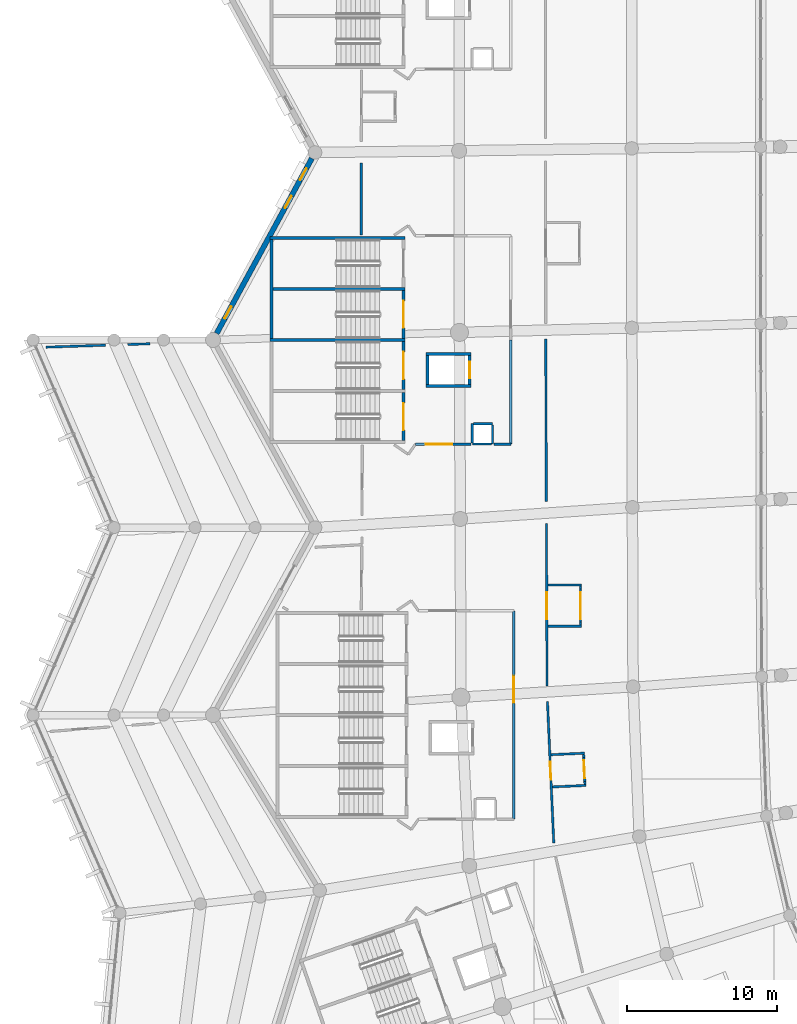
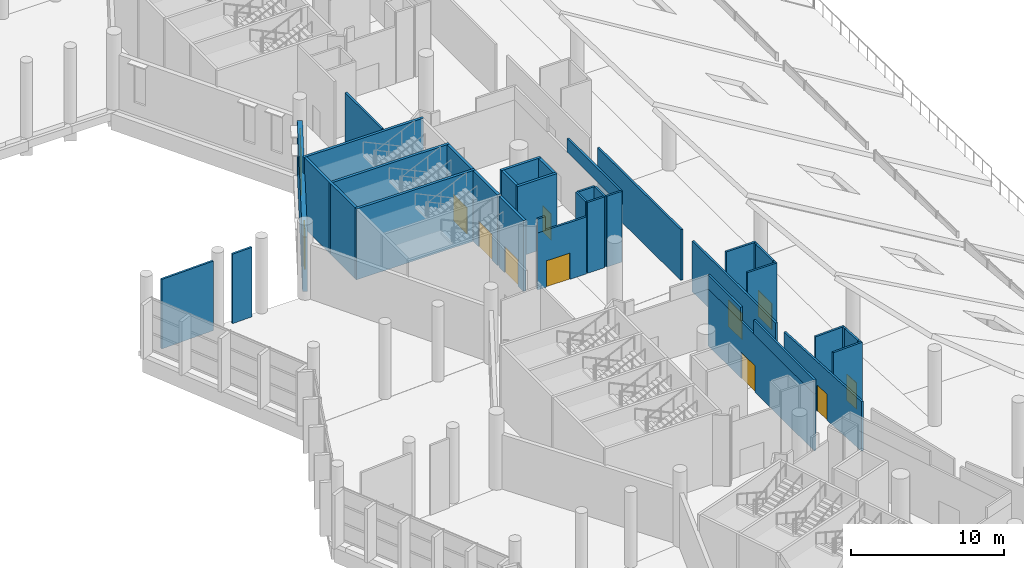
# One storey, part 145 of 249: 39 walls, 10 doors, 3 windows, 13 openings.
"""IFC4 building model written with IfcOpenShell, lengths in metres."""

from ifc_helpers import new_model, si_unit, direction, frame, frame_2d, origin, place, context, subcontext, project, spatial, rectangle, extrude, material, layer, layer_set, type_object, element, fill, save


model = new_model("IFC4")

# Units and contexts
model_context = context("Model", 3, precision=1e-05, world=origin(), true_north=direction((0.0, 1.0)))
body_context = subcontext(model_context, "Body", "Model", "MODEL_VIEW")
ifc_project = project(units=[si_unit("LENGTHUNIT", "METRE"), si_unit("AREAUNIT", "SQUARE_METRE"), si_unit("VOLUMEUNIT", "CUBIC_METRE"), si_unit("PLANEANGLEUNIT", "RADIAN"), si_unit("MASSUNIT", "GRAM", prefix="KILO")], contexts=[model_context])

# Site, building, storey
site_placement = place(None, origin())
site = spatial("IfcSite", under=ifc_project, at=site_placement, CompositionType="ELEMENT")
building_placement = place(site_placement, origin())
building = spatial("IfcBuilding", under=site, at=building_placement, Name="Meseta Stadium", CompositionType="ELEMENT")
storey_placement = place(building_placement, frame((0.0, 0.0, 12.0)))
storey = spatial("IfcBuildingStorey", under=building, at=storey_placement, Name="L02", CompositionType="ELEMENT", Elevation=12.0)

# Walls
ifc_material_1 = material(Name="Concrete C40/50", Category="concrete")
ifc_layer_1 = layer(ifc_material_1, 0.199951171875)
ifc_layer_set_1 = layer_set([ifc_layer_1], Name="Core divider wall 200")
wall_type_1 = type_object("IfcWallType", Name="Core divider wall 200", PredefinedType="SHEAR", material=ifc_layer_set_1)
wall_1_placement = place(storey_placement, frame((-97.60009765625, -15.35009765625, 0.0), z_axis=(0.0, 0.0, 1.0), x_axis=(1.0, 0.0, 0.0)))
element("IfcWall", 1, at=wall_1_placement, inside=storey, type_object=wall_type_1, Name="Core 18 L02 stair A divider wall", PredefinedType="SHEAR", context=body_context, shape_type="SweptSolid", body=[
    extrude(rectangle(XDim=9.0, YDim=0.199951171875, at=frame_2d((4.5, 0.0))), origin(), (0.0, 0.0, 1.0), 5.64990234375),
])
ifc_material_2 = material(Name="Concrete C40/50", Category="concrete")
ifc_layer_2 = layer(ifc_material_2, 0.199951171875)
ifc_layer_set_2 = layer_set([ifc_layer_2], Name="Core shaft wall 200")
wall_type_2 = type_object("IfcWallType", Name="Core shaft wall 200", PredefinedType="SHEAR", material=ifc_layer_set_2)
for number, where, z_axis, x_axis, name in (
    (2, (-97.60009765625, -11.949951171875, 0.0), (0.0, 0.0, 1.0), (1.0, 0.0, 0.0), "Core 18 L02 stair wall A-side"),
    (3, (-97.60009765625, -18.75, 0.0), (0.0, 0.0, 1.0), (1.0, 0.0, 0.0), "Core 18 L02 stair wall shared"),
):
    element("IfcWall", number, at=place(storey_placement, frame(where, z_axis=z_axis, x_axis=x_axis)), inside=storey, type_object=wall_type_2, Name=name, PredefinedType="SHEAR", context=body_context, shape_type="SweptSolid", body=[
        extrude(rectangle(XDim=9.0, YDim=0.199951171875, at=frame_2d((4.5, 0.0))), origin(), (0.0, 0.0, 1.0), 5.64990234375),
    ])
wall_2_placement = place(storey_placement, frame((-97.5, -12.050048828125, 0.0), z_axis=(0.0, 0.0, 1.0), x_axis=(0.0, -1.0, 0.0)))
element("IfcWall", 4, at=wall_2_placement, inside=storey, type_object=wall_type_2, Name="Core 18 L02 stair A outer end wall", PredefinedType="SHEAR", context=body_context, shape_type="SweptSolid", body=[
    extrude(rectangle(XDim=6.599853515625, YDim=0.199951171875, at=frame_2d((3.2998046875, 0.0))), origin(), (0.0, 0.0, 1.0), 5.64990234375),
])

# Wall, opening, door
wall_3_placement = place(storey_placement, frame((-88.699951171875, -15.449951171875, 0.0), z_axis=(0.0, 0.0, 1.0), x_axis=(0.0, -1.0, 0.0)))
wall_3 = element("IfcWall", 5, at=wall_3_placement, inside=storey, type_object=wall_type_2, Name="Core 18 L02 stair A2 inner end wall", PredefinedType="SHEAR", context=body_context, shape_type="SweptSolid", body=[
    extrude(rectangle(XDim=3.199951171875, YDim=0.199951171875, at=frame_2d((1.60009765625, 0.0))), origin(), (0.0, 0.0, 1.0), 5.64990234375),
])
opening_1_placement = place(wall_3_placement, frame((0.699951171875, 0.0, 0.0)))
opening_1 = element("IfcOpeningElement", 6, at=opening_1_placement, cuts=wall_3, Name="Opening D254", PredefinedType="OPENING", context=body_context, shape_type="SweptSolid", body=[
    extrude(rectangle(XDim=1.800048828125, YDim=2.10009765625, at=frame_2d((0.89990234375, 1.050048828125))), frame((0.0, 0.10986328125, 0.0), z_axis=(0.0, -1.0, 0.0), x_axis=(1.0, 0.0, 0.0)), (0.0, 0.0, 1.0), 0.219970703125),
])
ifc_material_3 = material(Name="Steel", Category="steel")
door_type_1 = type_object("IfcDoorType", Name="Stair door 1800x2100", OperationType="DOUBLE_DOOR_SINGLE_SWING", PredefinedType="DOOR", material=ifc_material_3)
door_1_placement = place(opening_1_placement, origin())
door_1 = element("IfcDoor", 7, at=door_1_placement, inside=storey, type_object=door_type_1, Name="Stair A2 door 18 L02", OperationType="DOUBLE_DOOR_SINGLE_SWING", OverallHeight=2.10009765625, OverallWidth=1.800048828125, PredefinedType="DOOR", context=body_context, shape_type="SweptSolid", body=[
    extrude(rectangle(XDim=1.800048828125, YDim=2.10009765625, at=frame_2d((0.89990234375, 1.050048828125))), frame((0.0, 0.02490234375, 0.0), z_axis=(0.0, -1.0, 0.0), x_axis=(1.0, 0.0, 0.0)), (0.0, 0.0, 1.0), 0.050048828125),
])
fill(opening_1, door_1)

wall_4_placement = place(storey_placement, frame((-88.699951171875, -18.85009765625, 0.0), z_axis=(0.0, 0.0, 1.0), x_axis=(0.0, -1.0, 0.0)))
wall_4 = element("IfcWall", 8, at=wall_4_placement, inside=storey, type_object=wall_type_2, Name="Core 18 L02 stair B1 inner end wall", PredefinedType="SHEAR", context=body_context, shape_type="SweptSolid", body=[
    extrude(rectangle(XDim=3.199951171875, YDim=0.199951171875, at=frame_2d((1.60009765625, 0.0))), origin(), (0.0, 0.0, 1.0), 5.64990234375),
])
opening_2_placement = place(wall_4_placement, frame((0.699951171875, 0.0, 0.0)))
opening_2 = element("IfcOpeningElement", 9, at=opening_2_placement, cuts=wall_4, Name="Opening D255", PredefinedType="OPENING", context=body_context, shape_type="SweptSolid", body=[
    extrude(rectangle(XDim=1.800048828125, YDim=2.10009765625, at=frame_2d((0.89990234375, 1.050048828125))), frame((0.0, 0.10986328125, 0.0), z_axis=(0.0, -1.0, 0.0), x_axis=(1.0, 0.0, 0.0)), (0.0, 0.0, 1.0), 0.219970703125),
])
door_2_placement = place(opening_2_placement, origin())
door_2 = element("IfcDoor", 10, at=door_2_placement, inside=storey, type_object=door_type_1, Name="Stair B1 door 18 L02", OperationType="DOUBLE_DOOR_SINGLE_SWING", OverallHeight=2.10009765625, OverallWidth=1.800048828125, PredefinedType="DOOR", context=body_context, shape_type="SweptSolid", body=[
    extrude(rectangle(XDim=1.800048828125, YDim=2.10009765625, at=frame_2d((0.89990234375, 1.050048828125))), frame((0.0, 0.02490234375, 0.0), z_axis=(0.0, -1.0, 0.0), x_axis=(1.0, 0.0, 0.0)), (0.0, 0.0, 1.0), 0.050048828125),
])
fill(opening_2, door_2)

wall_5_placement = place(storey_placement, frame((-88.699951171875, -22.25, 0.0), z_axis=(0.0, 0.0, 1.0), x_axis=(0.0, -1.0, 0.0)))
wall_5 = element("IfcWall", 11, at=wall_5_placement, inside=storey, type_object=wall_type_2, Name="Core 18 L02 stair B2 inner end wall", PredefinedType="SHEAR", context=body_context, shape_type="SweptSolid", body=[
    extrude(rectangle(XDim=3.199951171875, YDim=0.199951171875, at=frame_2d((1.60009765625, 0.0))), origin(), (0.0, 0.0, 1.0), 5.64990234375),
])
opening_3_placement = place(wall_5_placement, frame((0.699951171875, 0.0, 0.0)))
opening_3 = element("IfcOpeningElement", 12, at=opening_3_placement, cuts=wall_5, Name="Opening D256", PredefinedType="OPENING", context=body_context, shape_type="SweptSolid", body=[
    extrude(rectangle(XDim=1.800048828125, YDim=2.10009765625, at=frame_2d((0.89990234375, 1.050048828125))), frame((0.0, 0.10986328125, 0.0), z_axis=(0.0, -1.0, 0.0), x_axis=(1.0, 0.0, 0.0)), (0.0, 0.0, 1.0), 0.219970703125),
])
door_3_placement = place(opening_3_placement, origin())
door_3 = element("IfcDoor", 13, at=door_3_placement, inside=storey, type_object=door_type_1, Name="Stair B2 door 18 L02", OperationType="DOUBLE_DOOR_SINGLE_SWING", OverallHeight=2.10009765625, OverallWidth=1.800048828125, PredefinedType="DOOR", context=body_context, shape_type="SweptSolid", body=[
    extrude(rectangle(XDim=1.800048828125, YDim=2.10009765625, at=frame_2d((0.89990234375, 1.050048828125))), frame((0.0, 0.02490234375, 0.0), z_axis=(0.0, -1.0, 0.0), x_axis=(1.0, 0.0, 0.0)), (0.0, 0.0, 1.0), 0.050048828125),
])
fill(opening_3, door_3)

# Walls
for number, where, z_axis, x_axis, name in (
    (14, (-87.199951171875, -19.699951171875, 0.0), (0.0, 0.0, 1.0), (1.0, 0.0, 0.0), "Core 18 L02 lift shaft wall left"),
    (15, (-87.199951171875, -21.800048828125, 0.0), (0.0, 0.0, 1.0), (1.0, 0.0, 0.0), "Core 18 L02 lift shaft wall right"),
):
    element("IfcWall", number, at=place(storey_placement, frame(where, z_axis=z_axis, x_axis=x_axis)), inside=storey, type_object=wall_type_2, Name=name, PredefinedType="SHEAR", context=body_context, shape_type="SweptSolid", body=[
        extrude(rectangle(XDim=3.0, YDim=0.199951171875, at=frame_2d((1.5, 0.0))), origin(), (0.0, 0.0, 1.0), 5.64990234375),
    ])
wall_6_placement = place(storey_placement, frame((-87.10009765625, -19.800048828125, 0.0), z_axis=(0.0, 0.0, 1.0), x_axis=(0.0, -1.0, 0.0)))
element("IfcWall", 16, at=wall_6_placement, inside=storey, type_object=wall_type_2, Name="Core 18 L02 lift shaft back wall", PredefinedType="SHEAR", context=body_context, shape_type="SweptSolid", body=[
    extrude(rectangle(XDim=1.89990234375, YDim=0.199951171875, at=frame_2d((0.949951171875, 0.0))), origin(), (0.0, 0.0, 1.0), 5.64990234375),
])

# Wall, opening, door
wall_7_placement = place(storey_placement, frame((-84.300048828125, -19.800048828125, 0.0), z_axis=(0.0, 0.0, 1.0), x_axis=(0.0, -1.0, 0.0)))
wall_7 = element("IfcWall", 17, at=wall_7_placement, inside=storey, type_object=wall_type_2, Name="Core 18 L02 lift shaft front wall", PredefinedType="SHEAR", context=body_context, shape_type="SweptSolid", body=[
    extrude(rectangle(XDim=1.89990234375, YDim=0.199951171875, at=frame_2d((0.949951171875, 0.0))), origin(), (0.0, 0.0, 1.0), 5.64990234375),
])
opening_4_placement = place(wall_7_placement, frame((0.39990234375, 0.0, 0.0)))
opening_4 = element("IfcOpeningElement", 18, at=opening_4_placement, cuts=wall_7, Name="Opening LD100", PredefinedType="OPENING", context=body_context, shape_type="SweptSolid", body=[
    extrude(rectangle(XDim=1.10009765625, YDim=2.10009765625, at=frame_2d((0.550048828125, 1.050048828125))), frame((0.0, 0.10986328125, 0.0), z_axis=(0.0, -1.0, 0.0), x_axis=(1.0, 0.0, 0.0)), (0.0, 0.0, 1.0), 0.219970703125),
])
ifc_material_4 = material(Name="Steel", Category="steel")
door_type_2 = type_object("IfcDoorType", Name="Lift landing door 1100x2100", OperationType="SLIDING_TO_LEFT", PredefinedType="DOOR", material=ifc_material_4)
door_4_placement = place(opening_4_placement, origin())
door_4 = element("IfcDoor", 19, at=door_4_placement, inside=storey, type_object=door_type_2, Name="Lift landing door LD100", OperationType="SLIDING_TO_RIGHT", OverallHeight=2.10009765625, OverallWidth=1.10009765625, PredefinedType="DOOR", context=body_context, shape_type="SweptSolid", body=[
    extrude(rectangle(XDim=1.10009765625, YDim=2.10009765625, at=frame_2d((0.550048828125, 1.050048828125))), frame((0.0, 0.02490234375, 0.0), z_axis=(0.0, -1.0, 0.0), x_axis=(1.0, 0.0, 0.0)), (0.0, 0.0, 1.0), 0.050048828125),
])
fill(opening_4, door_4)

# Wall
ifc_material_5 = material(Name="Masonry blockwork", Category="masonry")
ifc_layer_3 = layer(ifc_material_5, 0.14990234375)
ifc_layer_set_3 = layer_set([ifc_layer_3], Name="Partition 150")
wall_type_3 = type_object("IfcWallType", Name="Partition 150", PredefinedType="PARTITIONING", material=ifc_layer_set_3)
wall_8_placement = place(storey_placement, frame((-91.519287109375, -6.96728515625, 0.0), z_axis=(0.0, 0.0, 1.0), x_axis=(-0.001174067593, -0.999999310782, 0.0)))
element("IfcWall", 20, at=wall_8_placement, inside=storey, type_object=wall_type_3, Name="Partition L02 L02-cell16-2-0", PredefinedType="PARTITIONING", context=body_context, shape_type="SweptSolid", body=[
    extrude(rectangle(XDim=4.78271484375, YDim=0.14990234375, at=frame_2d((2.391357421875, 0.0))), origin(), (0.0, 0.0, 1.0), 5.64990234375),
])

# Wall, opening, door
wall_9_placement = place(storey_placement, frame((-79.139892578125, -41.81005859375, 0.0), z_axis=(0.0, 0.0, 1.0), x_axis=(-0.003787424647, 0.999992827682, 0.0)))
wall_9 = element("IfcWall", 21, at=wall_9_placement, inside=storey, type_object=wall_type_3, Name="Partition L02 L02-cell17-0-0", PredefinedType="PARTITIONING", context=body_context, shape_type="SweptSolid", body=[
    extrude(rectangle(XDim=10.829345703125, YDim=0.14990234375, at=frame_2d((5.41455078125, 0.0))), origin(), (0.0, 0.0, 1.0), 4.04833984375),
])
opening_5_placement = place(wall_9_placement, frame((4.449951171875, 0.0, 0.0)))
opening_5 = element("IfcOpeningElement", 22, at=opening_5_placement, cuts=wall_9, Name="Opening D1039", PredefinedType="OPENING", context=body_context, shape_type="SweptSolid", body=[
    extrude(rectangle(XDim=1.800048828125, YDim=2.10009765625, at=frame_2d((0.89990234375, 1.050048828125))), frame((0.0, 0.0849609375, 0.0), z_axis=(0.0, -1.0, 0.0), x_axis=(1.0, 0.0, 0.0)), (0.0, 0.0, 1.0), 0.169921875),
])
ifc_material_6 = material(Name="Steel", Category="steel")
door_type_3 = type_object("IfcDoorType", Name="Fire double door 1800x2100 EI2 60", OperationType="DOUBLE_DOOR_SINGLE_SWING", PredefinedType="DOOR", material=ifc_material_6)
door_5_placement = place(opening_5_placement, origin())
door_5 = element("IfcDoor", 23, at=door_5_placement, inside=storey, type_object=door_type_3, Name="Room door L02 L02-cell17-0-0", OperationType="DOUBLE_DOOR_SINGLE_SWING", OverallHeight=2.10009765625, OverallWidth=1.800048828125, PredefinedType="DOOR", context=body_context, shape_type="SweptSolid", body=[
    extrude(rectangle(XDim=1.800048828125, YDim=2.10009765625, at=frame_2d((0.89990234375, 1.050048828125))), frame((0.0, 0.02490234375, 0.0), z_axis=(0.0, -1.0, 0.0), x_axis=(1.0, 0.0, 0.0)), (0.0, 0.0, 1.0), 0.050048828125),
])
fill(opening_5, door_5)

# Wall
wall_10_placement = place(storey_placement, frame((-79.186279296875, -29.50390625, 0.0), z_axis=(0.0, 0.0, 1.0), x_axis=(-0.003787510032, 0.999992827358, 0.0)))
element("IfcWall", 24, at=wall_10_placement, inside=storey, type_object=wall_type_3, Name="Partition L02 L02-cell17-0-0", PredefinedType="PARTITIONING", context=body_context, shape_type="SweptSolid", body=[
    extrude(rectangle(XDim=10.8291015625, YDim=0.14990234375, at=frame_2d((5.41455078125, 0.0))), origin(), (0.0, 0.0, 1.0), 4.04833984375),
])

# Wall, opening, door
wall_11_placement = place(storey_placement, frame((-78.69140625, -52.265869140625, 0.0), z_axis=(0.0, 0.0, 1.0), x_axis=(-0.044749816806, 0.998998225172, 0.0)))
wall_11 = element("IfcWall", 25, at=wall_11_placement, inside=storey, type_object=wall_type_3, Name="Partition L02 L02-cell18-0-0", PredefinedType="PARTITIONING", context=body_context, shape_type="SweptSolid", body=[
    extrude(rectangle(XDim=9.427490234375, YDim=0.14990234375, at=frame_2d((4.7138671875, 0.0))), origin(), (0.0, 0.0, 1.0), 3.9619140625),
])
opening_6_placement = place(wall_11_placement, frame((4.199951171875, 0.0, 0.0)))
opening_6 = element("IfcOpeningElement", 26, at=opening_6_placement, cuts=wall_11, Name="Opening D1040", PredefinedType="OPENING", context=body_context, shape_type="SweptSolid", body=[
    extrude(rectangle(XDim=1.199951171875, YDim=2.10009765625, at=frame_2d((0.60009765625, 1.050048828125))), frame((0.0, 0.0849609375, 0.0), z_axis=(0.0, -1.0, 0.0), x_axis=(1.0, 0.0, 0.0)), (0.0, 0.0, 1.0), 0.169921875),
])
ifc_material_7 = material(Name="Steel", Category="steel")
door_type_4 = type_object("IfcDoorType", Name="Fire door 1200x2100 EI2 60", OperationType="NOTDEFINED", PredefinedType="DOOR", material=ifc_material_7)
door_6_placement = place(opening_6_placement, origin())
door_6 = element("IfcDoor", 27, at=door_6_placement, inside=storey, type_object=door_type_4, Name="Room door L02 L02-cell18-0-0", OperationType="SINGLE_SWING_RIGHT", OverallHeight=2.10009765625, OverallWidth=1.199951171875, PredefinedType="DOOR", context=body_context, shape_type="SweptSolid", body=[
    extrude(rectangle(XDim=1.199951171875, YDim=2.10009765625, at=frame_2d((0.60009765625, 1.050048828125))), frame((0.0, 0.02490234375, 0.0), z_axis=(0.0, -1.0, 0.0), x_axis=(1.0, 0.0, 0.0)), (0.0, 0.0, 1.0), 0.050048828125),
])
fill(opening_6, door_6)

# Walls
wall_12_placement = place(storey_placement, frame((-112.547607421875, -19.228515625, 0.0), z_axis=(0.0, 0.0, 1.0), x_axis=(0.99945927395, 0.032880993209, 0.0)))
element("IfcWall", 28, at=wall_12_placement, inside=storey, type_object=wall_type_3, Name="Partition L02 L02-ring17-0", PredefinedType="PARTITIONING", context=body_context, shape_type="SweptSolid", body=[
    extrude(rectangle(XDim=3.972412109375, YDim=0.14990234375, at=frame_2d((1.986328125, 0.0))), origin(), (0.0, 0.0, 1.0), 5.550048828125),
])
wall_13_placement = place(storey_placement, frame((-107.0888671875, -19.049072265625, 0.0), z_axis=(0.0, 0.0, 1.0), x_axis=(0.999457207836, 0.03294373545, 0.0)))
element("IfcWall", 29, at=wall_13_placement, inside=storey, type_object=wall_type_3, Name="Partition L02 L02-ring17-0", PredefinedType="PARTITIONING", context=body_context, shape_type="SweptSolid", body=[
    extrude(rectangle(XDim=1.489501953125, YDim=0.14990234375, at=frame_2d((0.74462890625, 0.0))), origin(), (0.0, 0.0, 1.0), 5.550048828125),
])
wall_14_placement = place(storey_placement, frame((-84.125, -24.324951171875, 0.0), z_axis=(0.0, 0.0, 1.0), x_axis=(0.0, -1.0, 0.0)))
element("IfcWall", 30, at=wall_14_placement, inside=storey, type_object=wall_type_3, Name="Pressurisation shaft wall L02 core 18", PredefinedType="PARTITIONING", context=body_context, shape_type="SweptSolid", body=[
    extrude(rectangle(XDim=1.275146484375, YDim=0.14990234375, at=frame_2d((0.6376953125, 0.0))), origin(), (0.0, 0.0, 1.0), 5.64990234375),
])
wall_15_placement = place(storey_placement, frame((-84.125, -25.675048828125, 0.0), z_axis=(0.0, 0.0, 1.0), x_axis=(1.0, 0.0, 0.0)))
element("IfcWall", 31, at=wall_15_placement, inside=storey, type_object=wall_type_3, Name="Pressurisation shaft wall L02 core 18", PredefinedType="PARTITIONING", context=body_context, shape_type="SweptSolid", body=[
    extrude(rectangle(XDim=1.27490234375, YDim=0.14990234375, at=frame_2d((0.637451171875, 0.0))), origin(), (0.0, 0.0, 1.0), 5.64990234375),
])
for number, where, z_axis, x_axis, name in (
    (32, (-82.77490234375, -25.675048828125, 0.0), (0.0, 0.0, 1.0), (0.0, 1.0, 0.0), "Pressurisation shaft wall L02 core 18"),
    (33, (-82.77490234375, -24.324951171875, 0.0), (0.0, 0.0, 1.0), (-1.0, 0.0, 0.0), "Pressurisation shaft wall L02 core 18"),
):
    element("IfcWall", number, at=place(storey_placement, frame(where, z_axis=z_axis, x_axis=x_axis)), inside=storey, type_object=wall_type_3, Name=name, PredefinedType="PARTITIONING", context=body_context, shape_type="SweptSolid", body=[
        extrude(rectangle(XDim=1.275146484375, YDim=0.14990234375, at=frame_2d((0.6376953125, 0.0))), origin(), (0.0, 0.0, 1.0), 5.64990234375),
    ])

# Wall, opening, door
wall_16_placement = place(storey_placement, frame((-87.909423828125, -25.695068359375, 0.0), z_axis=(0.0, 0.0, 1.0), x_axis=(1.0, 0.0, 0.0)))
wall_16 = element("IfcWall", 34, at=wall_16_placement, inside=storey, type_object=wall_type_3, Name="Stair vestibule wall L02 core 18", PredefinedType="PARTITIONING", context=body_context, shape_type="SweptSolid", body=[
    extrude(rectangle(XDim=3.70361328125, YDim=0.14990234375, at=frame_2d((1.851806640625, 0.0))), origin(), (0.0, 0.0, 1.0), 4.550048828125),
])
opening_7_placement = place(wall_16_placement, frame((0.64990234375, 0.0, 0.0)))
opening_7 = element("IfcOpeningElement", 35, at=opening_7_placement, cuts=wall_16, Name="Opening D1012", PredefinedType="OPENING", context=body_context, shape_type="SweptSolid", body=[
    extrude(rectangle(XDim=1.800048828125, YDim=2.10009765625, at=frame_2d((0.89990234375, 1.050048828125))), frame((0.0, 0.0849609375, 0.0), z_axis=(0.0, -1.0, 0.0), x_axis=(1.0, 0.0, 0.0)), (0.0, 0.0, 1.0), 0.169921875),
])
door_7_placement = place(opening_7_placement, origin())
door_7 = element("IfcDoor", 36, at=door_7_placement, inside=storey, type_object=door_type_3, Name="Stair vestibule door L02 core 18", OperationType="DOUBLE_DOOR_SINGLE_SWING", OverallHeight=2.10009765625, OverallWidth=1.800048828125, PredefinedType="DOOR", context=body_context, shape_type="SweptSolid", body=[
    extrude(rectangle(XDim=1.800048828125, YDim=2.10009765625, at=frame_2d((0.89990234375, 1.050048828125))), frame((0.0, 0.02490234375, 0.0), z_axis=(0.0, -1.0, 0.0), x_axis=(1.0, 0.0, 0.0)), (0.0, 0.0, 1.0), 0.050048828125),
])
fill(opening_7, door_7)

# Walls
wall_17_placement = place(storey_placement, frame((-87.909423828125, -25.695068359375, 4.550048828125), z_axis=(0.0, 0.0, 1.0), x_axis=(1.0, 0.0, 0.0)))
element("IfcWall", 37, at=wall_17_placement, inside=storey, type_object=wall_type_3, Name="Stair vestibule wall L02 core 18", PredefinedType="PARTITIONING", context=body_context, shape_type="SweptSolid", body=[
    extrude(rectangle(XDim=0.599853515625, YDim=0.14990234375, at=frame_2d((0.2998046875, 0.0))), origin(), (0.0, 0.0, 1.0), 1.099853515625),
])
wall_18_placement = place(storey_placement, frame((-82.68994140625, -25.695068359375, 0.0), z_axis=(0.0, 0.0, 1.0), x_axis=(1.0, 0.0, 0.0)))
element("IfcWall", 38, at=wall_18_placement, inside=storey, type_object=wall_type_3, Name="Stair vestibule wall L02 core 18", PredefinedType="PARTITIONING", context=body_context, shape_type="SweptSolid", body=[
    extrude(rectangle(XDim=1.135009765625, YDim=0.14990234375, at=frame_2d((0.5673828125, 0.0))), origin(), (0.0, 0.0, 1.0), 5.64990234375),
])
wall_19_placement = place(storey_placement, frame((-81.554931640625, -25.695068359375, 4.550048828125), z_axis=(0.0, 0.0, 1.0), x_axis=(0.0, 1.0, 0.0)))
element("IfcWall", 39, at=wall_19_placement, inside=storey, type_object=wall_type_3, Name="Stair vestibule wall L02 core 18", PredefinedType="PARTITIONING", context=body_context, shape_type="SweptSolid", body=[
    extrude(rectangle(XDim=6.945068359375, YDim=0.14990234375, at=frame_2d((3.47265625, 0.0))), origin(), (0.0, 0.0, 1.0), 1.099853515625),
])

# Wall, opening, door
wall_20_placement = place(storey_placement, frame((-81.35498046875, -50.695068359375, 0.0), z_axis=(0.0, 0.0, 1.0), x_axis=(0.0, 1.0, 0.0)))
wall_20 = element("IfcWall", 40, at=wall_20_placement, inside=storey, type_object=wall_type_3, Name="Stair vestibule wall L02 core 19", PredefinedType="PARTITIONING", context=body_context, shape_type="SweptSolid", body=[
    extrude(rectangle(XDim=13.89013671875, YDim=0.14990234375, at=frame_2d((6.945068359375, 0.0))), origin(), (0.0, 0.0, 1.0), 4.550048828125),
])
opening_8_placement = place(wall_20_placement, frame((7.75, 0.0, 0.0)))
opening_8 = element("IfcOpeningElement", 41, at=opening_8_placement, cuts=wall_20, Name="Opening D1031", PredefinedType="OPENING", context=body_context, shape_type="SweptSolid", body=[
    extrude(rectangle(XDim=1.800048828125, YDim=2.10009765625, at=frame_2d((0.89990234375, 1.050048828125))), frame((0.0, 0.0849609375, 0.0), z_axis=(0.0, -1.0, 0.0), x_axis=(1.0, 0.0, 0.0)), (0.0, 0.0, 1.0), 0.169921875),
])
door_8_placement = place(opening_8_placement, origin())
door_8 = element("IfcDoor", 42, at=door_8_placement, inside=storey, type_object=door_type_3, Name="Stair vestibule door L02 core 19", OperationType="DOUBLE_DOOR_SINGLE_SWING", OverallHeight=2.10009765625, OverallWidth=1.800048828125, PredefinedType="DOOR", context=body_context, shape_type="SweptSolid", body=[
    extrude(rectangle(XDim=1.800048828125, YDim=2.10009765625, at=frame_2d((0.89990234375, 1.050048828125))), frame((0.0, 0.02490234375, 0.0), z_axis=(0.0, -1.0, 0.0), x_axis=(1.0, 0.0, 0.0)), (0.0, 0.0, 1.0), 0.050048828125),
])
fill(opening_8, door_8)

# Walls
wall_21_placement = place(storey_placement, frame((-81.35498046875, -50.695068359375, 4.550048828125), z_axis=(0.0, 0.0, 1.0), x_axis=(0.0, 1.0, 0.0)))
element("IfcWall", 43, at=wall_21_placement, inside=storey, type_object=wall_type_3, Name="Stair vestibule wall L02 core 19", PredefinedType="PARTITIONING", context=body_context, shape_type="SweptSolid", body=[
    extrude(rectangle(XDim=7.937255859375, YDim=0.14990234375, at=frame_2d((3.96875, 0.0))), origin(), (0.0, 0.0, 1.0), 1.099853515625),
])
wall_22_placement = place(storey_placement, frame((-81.35498046875, -41.094970703125, 4.550048828125), z_axis=(0.0, 0.0, 1.0), x_axis=(0.0, 1.0, 0.0)))
element("IfcWall", 44, at=wall_22_placement, inside=storey, type_object=wall_type_3, Name="Stair vestibule wall L02 core 19", PredefinedType="PARTITIONING", context=body_context, shape_type="SweptSolid", body=[
    extrude(rectangle(XDim=4.2900390625, YDim=0.14990234375, at=frame_2d((2.14501953125, 0.0))), origin(), (0.0, 0.0, 1.0), 1.099853515625),
])
for number, where, z_axis, x_axis, name in (
    (45, (-79.079833984375, -37.834716796875, 0.0), (0.0, 0.0, 1.0), (0.999992788652, 0.003797715669, 0.0), "Partition L02 L02-cell17-0-0 vestibule"),
    (46, (-79.09033203125, -35.084716796875, 0.0), (0.0, 0.0, 1.0), (0.999992788652, 0.003797715669, 0.0), "Partition L02 L02-cell17-0-0 vestibule"),
):
    element("IfcWall", number, at=place(storey_placement, frame(where, z_axis=z_axis, x_axis=x_axis)), inside=storey, type_object=wall_type_3, Name=name, PredefinedType="PARTITIONING", context=body_context, shape_type="SweptSolid", body=[
        extrude(rectangle(XDim=2.25, YDim=0.14990234375, at=frame_2d((1.125, 0.0))), origin(), (0.0, 0.0, 1.0), 5.64990234375),
    ])
wall_23_placement = place(storey_placement, frame((-76.905029296875, -37.75146484375, 0.0), z_axis=(0.0, 0.0, 1.0), x_axis=(-0.004883946635, 0.999988073462, 0.0)))
element("IfcWall", 47, at=wall_23_placement, inside=storey, type_object=wall_type_3, Name="Partition L02 L02-cell17-0-0 vestibule", PredefinedType="PARTITIONING", context=body_context, shape_type="SweptSolid", body=[
    extrude(rectangle(XDim=0.199951171875, YDim=0.14990234375, at=frame_2d((0.10009765625, 0.0))), origin(), (0.0, 0.0, 1.0), 5.64990234375),
])

# Wall, opening, door
wall_24_placement = place(storey_placement, frame((-76.906005859375, -37.551513671875, 0.0), z_axis=(0.0, 0.0, 1.0), x_axis=(-0.003773139272, 0.999992881685, 0.0)))
wall_24 = element("IfcWall", 48, at=wall_24_placement, inside=storey, type_object=wall_type_3, Name="Partition L02 L02-cell17-0-0 vestibule", PredefinedType="PARTITIONING", context=body_context, shape_type="SweptSolid", body=[
    extrude(rectangle(XDim=2.199951171875, YDim=0.14990234375, at=frame_2d((1.10009765625, 0.0))), origin(), (0.0, 0.0, 1.0), 5.64990234375),
])
opening_9_placement = place(wall_24_placement, frame((0.199951171875, 0.0, 0.0)))
opening_9 = element("IfcOpeningElement", 49, at=opening_9_placement, cuts=wall_24, Name="Opening D1047", PredefinedType="OPENING", context=body_context, shape_type="SweptSolid", body=[
    extrude(rectangle(XDim=1.800048828125, YDim=2.10009765625, at=frame_2d((0.89990234375, 1.050048828125))), frame((0.0, 0.0849609375, 0.0), z_axis=(0.0, -1.0, 0.0), x_axis=(1.0, 0.0, 0.0)), (0.0, 0.0, 1.0), 0.169921875),
])
door_9_placement = place(opening_9_placement, origin())
door_9 = element("IfcDoor", 50, at=door_9_placement, inside=storey, type_object=door_type_3, Name="Vestibule door L02 L02-cell17-0-0", OperationType="DOUBLE_DOOR_SINGLE_SWING", OverallHeight=2.10009765625, OverallWidth=1.800048828125, PredefinedType="DOOR", context=body_context, shape_type="SweptSolid", body=[
    extrude(rectangle(XDim=1.800048828125, YDim=2.10009765625, at=frame_2d((0.89990234375, 1.050048828125))), frame((0.0, 0.02490234375, 0.0), z_axis=(0.0, -1.0, 0.0), x_axis=(1.0, 0.0, 0.0)), (0.0, 0.0, 1.0), 0.050048828125),
])
fill(opening_9, door_9)

# Walls
wall_25_placement = place(storey_placement, frame((-76.914306640625, -35.3515625, 0.0), z_axis=(0.0, 0.0, 1.0), x_axis=(-0.003662979089, 0.99999329127, 0.0)))
element("IfcWall", 51, at=wall_25_placement, inside=storey, type_object=wall_type_3, Name="Partition L02 L02-cell17-0-0 vestibule", PredefinedType="PARTITIONING", context=body_context, shape_type="SweptSolid", body=[
    extrude(rectangle(XDim=0.199951171875, YDim=0.14990234375, at=frame_2d((0.10009765625, 0.0))), origin(), (0.0, 0.0, 1.0), 5.64990234375),
])
for number, where, z_axis, x_axis, name in (
    (52, (-78.783203125, -48.541259765625, 0.0), (0.0, 0.0, 1.0), (0.998995432738, 0.044812111841, 0.0), "Partition L02 L02-cell18-0-0 vestibule"),
    (53, (-78.87939453125, -46.393310546875, 0.0), (0.0, 0.0, 1.0), (0.998995432738, 0.044812111841, 0.0), "Partition L02 L02-cell18-0-0 vestibule"),
):
    element("IfcWall", number, at=place(storey_placement, frame(where, z_axis=z_axis, x_axis=x_axis)), inside=storey, type_object=wall_type_3, Name=name, PredefinedType="PARTITIONING", context=body_context, shape_type="SweptSolid", body=[
        extrude(rectangle(XDim=2.25, YDim=0.14990234375, at=frame_2d((1.125, 0.0))), origin(), (0.0, 0.0, 1.0), 5.64990234375),
    ])
wall_26_placement = place(storey_placement, frame((-76.61376953125, -48.368896484375, 0.0), z_axis=(0.0, 0.0, 1.0), x_axis=(-0.04518607304, 0.99897858776, 0.0)))
element("IfcWall", 54, at=wall_26_placement, inside=storey, type_object=wall_type_3, Name="Partition L02 L02-cell18-0-0 vestibule", PredefinedType="PARTITIONING", context=body_context, shape_type="SweptSolid", body=[
    extrude(rectangle(XDim=0.199951171875, YDim=0.14990234375, at=frame_2d((0.10009765625, 0.0))), origin(), (0.0, 0.0, 1.0), 5.64990234375),
])

# Wall, opening, door
wall_27_placement = place(storey_placement, frame((-76.622802734375, -48.169189453125, 0.0), z_axis=(0.0, 0.0, 1.0), x_axis=(-0.044708572026, 0.999000071866, 0.0)))
wall_27 = element("IfcWall", 55, at=wall_27_placement, inside=storey, type_object=wall_type_3, Name="Partition L02 L02-cell18-0-0 vestibule", PredefinedType="PARTITIONING", context=body_context, shape_type="SweptSolid", body=[
    extrude(rectangle(XDim=1.60009765625, YDim=0.14990234375, at=frame_2d((0.800048828125, 0.0))), origin(), (0.0, 0.0, 1.0), 5.64990234375),
])
opening_10_placement = place(wall_27_placement, frame((0.199951171875, 0.0, 0.0)))
opening_10 = element("IfcOpeningElement", 56, at=opening_10_placement, cuts=wall_27, Name="Opening D1048", PredefinedType="OPENING", context=body_context, shape_type="SweptSolid", body=[
    extrude(rectangle(XDim=1.199951171875, YDim=2.10009765625, at=frame_2d((0.60009765625, 1.050048828125))), frame((0.0, 0.0849609375, 0.0), z_axis=(0.0, -1.0, 0.0), x_axis=(1.0, 0.0, 0.0)), (0.0, 0.0, 1.0), 0.169921875),
])
door_10_placement = place(opening_10_placement, origin())
door_10 = element("IfcDoor", 57, at=door_10_placement, inside=storey, type_object=door_type_4, Name="Vestibule door L02 L02-cell18-0-0", OperationType="SINGLE_SWING_LEFT", OverallHeight=2.10009765625, OverallWidth=1.199951171875, PredefinedType="DOOR", context=body_context, shape_type="SweptSolid", body=[
    extrude(rectangle(XDim=1.199951171875, YDim=2.10009765625, at=frame_2d((0.60009765625, 1.050048828125))), frame((0.0, 0.02490234375, 0.0), z_axis=(0.0, -1.0, 0.0), x_axis=(1.0, 0.0, 0.0)), (0.0, 0.0, 1.0), 0.050048828125),
])
fill(opening_10, door_10)

# Wall
wall_28_placement = place(storey_placement, frame((-76.6943359375, -46.57080078125, 0.0), z_axis=(0.0, 0.0, 1.0), x_axis=(-0.043913640913, 0.999035330778, 0.0)))
element("IfcWall", 58, at=wall_28_placement, inside=storey, type_object=wall_type_3, Name="Partition L02 L02-cell18-0-0 vestibule", PredefinedType="PARTITIONING", context=body_context, shape_type="SweptSolid", body=[
    extrude(rectangle(XDim=0.2001953125, YDim=0.14990234375, at=frame_2d((0.10009765625, 0.0))), origin(), (0.0, 0.0, 1.0), 5.64990234375),
])

# Wall, openings, windows
ifc_material_8 = material(Name="White precast concrete C40/50", Category="concrete")
ifc_layer_4 = layer(ifc_material_8, 0.35009765625)
ifc_layer_set_4 = layer_set([ifc_layer_4], Name="Pleated panel wall 350 gate")
wall_type_4 = type_object("IfcWallType", Name="Pleated panel wall 350 gate", PredefinedType="SOLIDWALL", material=ifc_layer_set_4)
wall_29_placement = place(storey_placement, frame((-101.1611328125, -18.31103515625, 0.0), z_axis=(0.0, 0.0, 1.0), x_axis=(0.477867771117, 0.878431780691, 0.0)))
wall_29 = element("IfcWall", 59, at=wall_29_placement, inside=storey, type_object=wall_type_4, Name="Pleated facade panel L02 F33", PredefinedType="SOLIDWALL", context=body_context, shape_type="SweptSolid", body=[
    extrude(rectangle(XDim=13.2802734375, YDim=0.35009765625, at=frame_2d((6.64013671875, 0.0))), origin(), (0.0, 0.0, 1.0), 4.35009765625),
])
opening_11_placement = place(wall_29_placement, frame((11.630126953125, 0.0, 1.0)))
opening_11 = element("IfcOpeningElement", 60, at=opening_11_placement, cuts=wall_29, Name="Opening W005", PredefinedType="OPENING", context=body_context, shape_type="SweptSolid", body=[
    extrude(rectangle(XDim=0.89990234375, YDim=3.25, at=frame_2d((0.449951171875, 1.625))), frame((0.0, 0.18505859375, 0.0), z_axis=(0.0, -1.0, 0.0), x_axis=(1.0, 0.0, 0.0)), (0.0, 0.0, 1.0), 0.3701171875),
])
opening_12_placement = place(wall_29_placement, frame((9.530029296875, 0.0, 1.0)))
opening_12 = element("IfcOpeningElement", 61, at=opening_12_placement, cuts=wall_29, Name="Opening W003", PredefinedType="OPENING", context=body_context, shape_type="SweptSolid", body=[
    extrude(rectangle(XDim=0.89990234375, YDim=3.25, at=frame_2d((0.449951171875, 1.625))), frame((0.0, 0.18505859375, 0.0), z_axis=(0.0, -1.0, 0.0), x_axis=(1.0, 0.0, 0.0)), (0.0, 0.0, 1.0), 0.3701171875),
])
opening_13_placement = place(wall_29_placement, frame((1.130126953125, 0.0, 1.0)))
opening_13 = element("IfcOpeningElement", 62, at=opening_13_placement, cuts=wall_29, Name="Opening W001", PredefinedType="OPENING", context=body_context, shape_type="SweptSolid", body=[
    extrude(rectangle(XDim=0.89990234375, YDim=3.25, at=frame_2d((0.449951171875, 1.625))), frame((0.0, 0.18505859375, 0.0), z_axis=(0.0, -1.0, 0.0), x_axis=(1.0, 0.0, 0.0)), (0.0, 0.0, 1.0), 0.3701171875),
])
ifc_material_9 = material(Name="Aluminium", Category="aluminium")
window_type = type_object("IfcWindowType", Name="Slot window 900x3250", PartitioningType="SINGLE_PANEL", PredefinedType="WINDOW", material=ifc_material_9)
window_1_placement = place(opening_11_placement, origin())
window_1 = element("IfcWindow", 63, at=window_1_placement, inside=storey, type_object=window_type, Name="Slot window L02 F33.1", OverallHeight=3.25, OverallWidth=0.89990234375, PartitioningType="SINGLE_PANEL", PredefinedType="WINDOW", context=body_context, shape_type="SweptSolid", body=[
    extrude(rectangle(XDim=0.89990234375, YDim=3.25, at=frame_2d((0.449951171875, 1.625))), frame((0.0, 0.030029296875, 0.0), z_axis=(0.0, -1.0, 0.0), x_axis=(1.0, 0.0, 0.0)), (0.0, 0.0, 1.0), 0.06005859375),
])
fill(opening_11, window_1)
window_2_placement = place(opening_12_placement, origin())
window_2 = element("IfcWindow", 64, at=window_2_placement, inside=storey, type_object=window_type, Name="Slot window L02 F33.2", OverallHeight=3.25, OverallWidth=0.89990234375, PartitioningType="SINGLE_PANEL", PredefinedType="WINDOW", context=body_context, shape_type="SweptSolid", body=[
    extrude(rectangle(XDim=0.89990234375, YDim=3.25, at=frame_2d((0.449951171875, 1.625))), frame((0.0, 0.030029296875, 0.0), z_axis=(0.0, -1.0, 0.0), x_axis=(1.0, 0.0, 0.0)), (0.0, 0.0, 1.0), 0.06005859375),
])
fill(opening_12, window_2)
window_3_placement = place(opening_13_placement, origin())
window_3 = element("IfcWindow", 65, at=window_3_placement, inside=storey, type_object=window_type, Name="Slot window L02 F33.6", OverallHeight=3.25, OverallWidth=0.89990234375, PartitioningType="SINGLE_PANEL", PredefinedType="WINDOW", context=body_context, shape_type="SweptSolid", body=[
    extrude(rectangle(XDim=0.89990234375, YDim=3.25, at=frame_2d((0.449951171875, 1.625))), frame((0.0, 0.030029296875, 0.0), z_axis=(0.0, -1.0, 0.0), x_axis=(1.0, 0.0, 0.0)), (0.0, 0.0, 1.0), 0.06005859375),
])
fill(opening_13, window_3)

save(model, "model.ifc")
